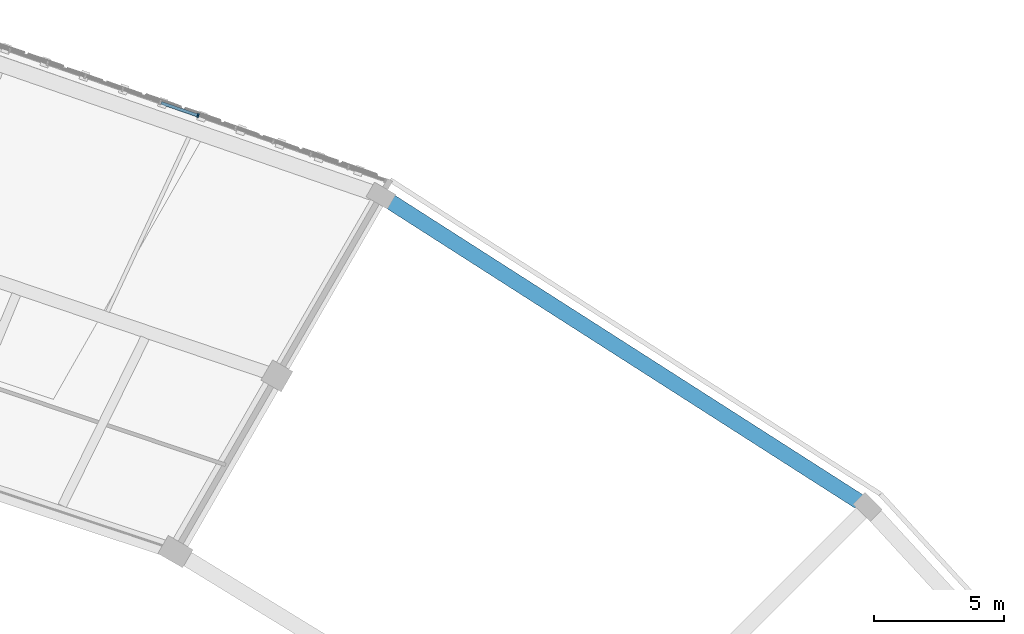
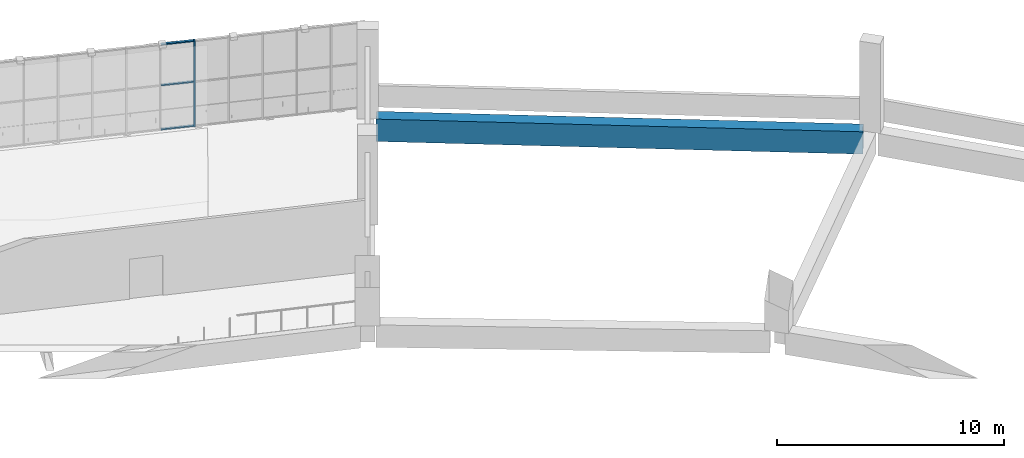
# One storey, part 32 of 64: 4 members, 1 beam, 1 element without a shape of its own.
"""IFC4 building model written with IfcOpenShell, lengths in metres."""

from ifc_helpers import new_model, si_unit, direction, frame, origin, origin_2d, place, context, subcontext, project, spatial, rectangle, extrude, material, material_profile, profile_set, type_object, element, aggregate, save


model = new_model("IFC4")

# Units and contexts
model_context = context("Model", 3, precision=1e-05, world=origin(), true_north=direction((0.0, 1.0)))
body_context = subcontext(model_context, "Body", "Model", "MODEL_VIEW")
ifc_project = project(units=[si_unit("LENGTHUNIT", "METRE"), si_unit("AREAUNIT", "SQUARE_METRE"), si_unit("VOLUMEUNIT", "CUBIC_METRE"), si_unit("PLANEANGLEUNIT", "RADIAN"), si_unit("MASSUNIT", "GRAM", prefix="KILO")], contexts=[model_context])

# Site, building, storey
site_placement = place(None, origin())
site = spatial("IfcSite", under=ifc_project, at=site_placement, CompositionType="ELEMENT")
building_placement = place(site_placement, origin())
building = spatial("IfcBuilding", under=site, at=building_placement, Name="Zevraka Park Crest Stadium", CompositionType="ELEMENT")
storey_placement = place(building_placement, frame((0.0, 0.0, 24.60009765625)))
storey = spatial("IfcBuildingStorey", under=building, at=storey_placement, Name="L05", CompositionType="ELEMENT", Elevation=24.60009765625)

# Curtain wall, members
ifc_material_1 = material(Name="Anodised architectural aluminium and laminated safety glass", Category="aluminium")
curtain_wall_type = type_object("IfcCurtainWallType", Name="CW22", PredefinedType="NOTDEFINED", material=ifc_material_1)
curtain_wall_placement = place(storey_placement, origin())
curtain_wall = element("IfcCurtainWall", 1, at=curtain_wall_placement, inside=storey, type_object=curtain_wall_type, Name="Unitised Ring Curtain Wall CW22 L05-04", PredefinedType="NOTDEFINED")
ifc_material_2 = material(Name="Anodised architectural aluminium", Category="aluminium")
ifc_material_profile_1 = material_profile(ifc_material_2, rectangle(XDim=0.159912109375, YDim=0.06005859375, at=origin_2d()), Name="ALU MULLION 160x60")
ifc_profile_set_1 = profile_set([ifc_material_profile_1], Name="Anodised architectural aluminium")
member_type_1 = type_object("IfcMemberType", Name="CM01", PredefinedType="MULLION", material=ifc_profile_set_1)
member_1_placement = place(storey_placement, frame((150.1142578125, 160.288330078125, 0.0), z_axis=(0.0, 0.0, 1.0), x_axis=(-0.326929424834, -0.945048755979, 0.0)))
member_1 = element("IfcMember", 2, at=member_1_placement, type_object=member_type_1, Name="CW22 mullion 6", PredefinedType="MULLION", context=body_context, shape_type="SweptSolid", body=[
    extrude(rectangle(XDim=0.159912109375, YDim=0.06005859375, at=origin_2d()), origin(), (0.0, 0.0, 1.0), 4.619873046875),
])
ifc_material_3 = material(Name="Anodised architectural aluminium", Category="aluminium")
ifc_material_profile_2 = material_profile(ifc_material_3, rectangle(XDim=0.1201171875, YDim=0.06005859375, at=origin_2d()), Name="ALU TRANSOM 120x60")
ifc_profile_set_2 = profile_set([ifc_material_profile_2], Name="Anodised architectural aluminium")
member_type_2 = type_object("IfcMemberType", Name="CT01", PredefinedType="USERDEFINED", material=ifc_profile_set_2)
member_2_placement = place(storey_placement, frame((150.0859375, 160.298095703125, 0.02978515625), z_axis=(-0.945033470844, 0.326973605946, 0.0), x_axis=(-0.326973605946, -0.945033470844, 0.0)))
member_2 = element("IfcMember", 3, at=member_2_placement, type_object=member_type_2, Name="CW22 transom 6.1", ObjectType="TRANSOM", PredefinedType="USERDEFINED", context=body_context, shape_type="SweptSolid", body=[
    extrude(rectangle(XDim=0.1201171875, YDim=0.06005859375, at=origin_2d()), origin(), (0.0, 0.0, 1.0), 1.469482421875),
])
member_3_placement = place(storey_placement, frame((150.0859375, 160.298095703125, 2.39990234375), z_axis=(-0.945033470844, 0.326973605946, 0.0), x_axis=(-0.326973605946, -0.945033470844, 0.0)))
member_3 = element("IfcMember", 4, at=member_3_placement, type_object=member_type_2, Name="CW22 transom 6.2", ObjectType="TRANSOM", PredefinedType="USERDEFINED", context=body_context, shape_type="SweptSolid", body=[
    extrude(rectangle(XDim=0.1201171875, YDim=0.06005859375, at=origin_2d()), origin(), (0.0, 0.0, 1.0), 1.469482421875),
])
member_4_placement = place(storey_placement, frame((150.0859375, 160.298095703125, 4.58984375), z_axis=(-0.945033470844, 0.326973605946, 0.0), x_axis=(-0.326973605946, -0.945033470844, 0.0)))
member_4 = element("IfcMember", 5, at=member_4_placement, type_object=member_type_2, Name="CW22 transom 6.3", ObjectType="TRANSOM", PredefinedType="USERDEFINED", context=body_context, shape_type="SweptSolid", body=[
    extrude(rectangle(XDim=0.1201171875, YDim=0.06005859375, at=origin_2d()), origin(), (0.0, 0.0, 1.0), 1.469482421875),
])
aggregate(curtain_wall, [member_1, member_2, member_3, member_4])

# Beam
ifc_material_4 = material(Name="Concrete C40/50", Category="concrete")
ifc_material_profile_3 = material_profile(ifc_material_4, rectangle(XDim=0.60009765625, YDim=1.199951171875, at=origin_2d()), Name="RC 1200x600")
ifc_profile_set_3 = profile_set([ifc_material_profile_3], Name="Concrete C40/50")
beam_type = type_object("IfcBeamType", Name="RB01", PredefinedType="BEAM", material=ifc_profile_set_3)
beam_placement = place(storey_placement, frame((175.531982421875, 145.449951171875, -0.610107421875), z_axis=(-0.842325571453, 0.538969045193, 0.0), x_axis=(-0.538969045193, -0.842325571453, 0.0)))
element("IfcBeam", 6, at=beam_placement, inside=storey, type_object=beam_type, Name="Ring Beam RB01 L05-D-03", PredefinedType="BEAM", context=body_context, shape_type="SweptSolid", body=[
    extrude(rectangle(XDim=0.60009765625, YDim=1.199951171875, at=origin_2d()), origin(), (0.0, 0.0, 1.0), 21.443115234375),
])

save(model, "model.ifc")
